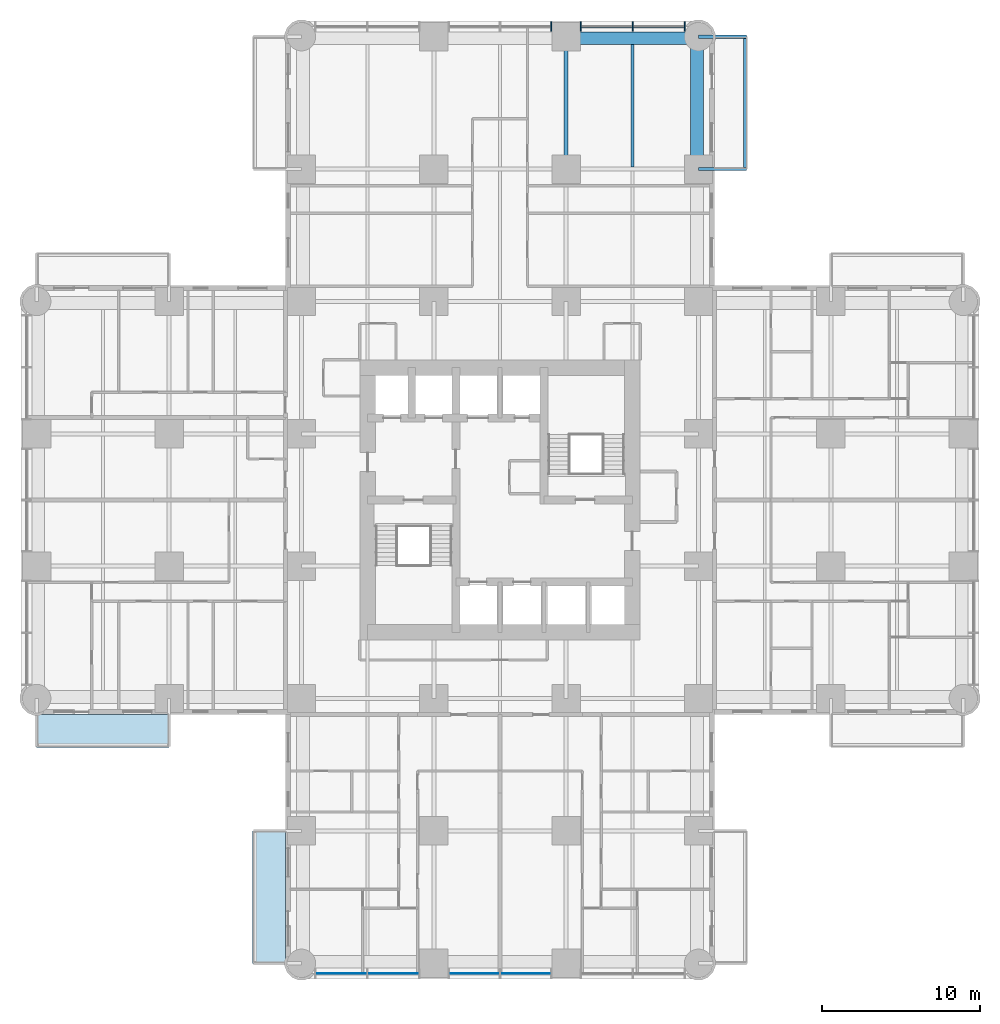
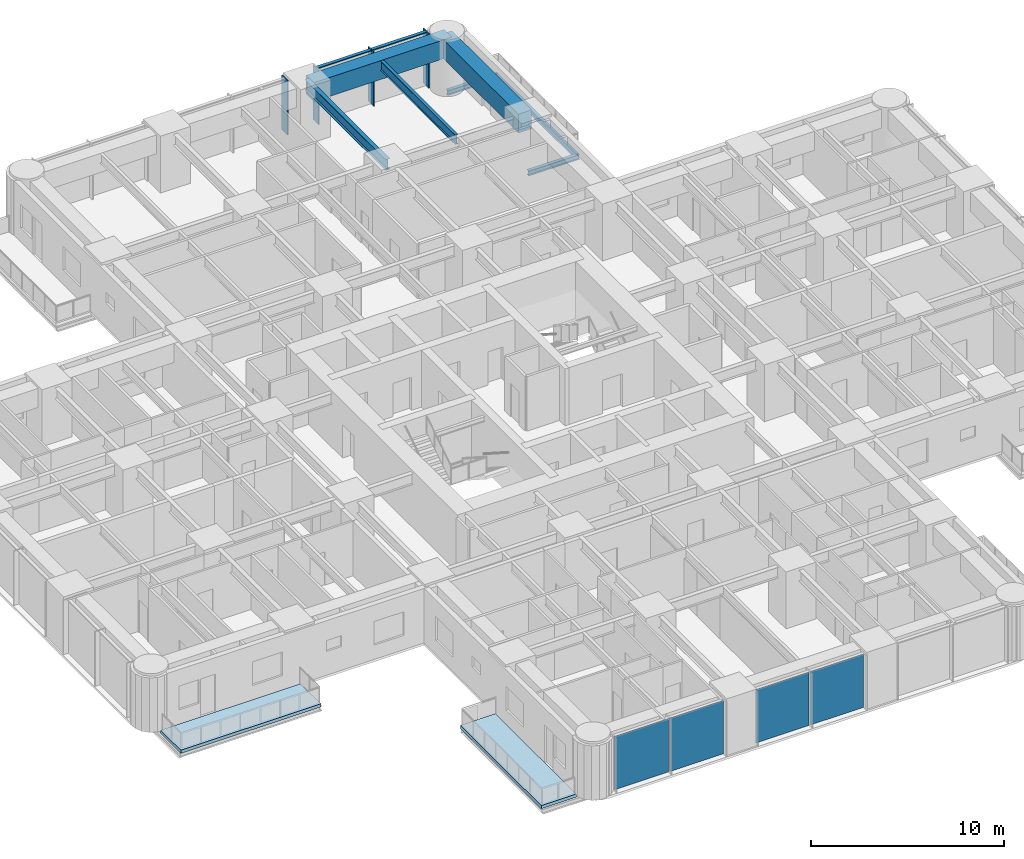
# One storey, part 5 of 17: 7 beams, 6 members, 4 plates, 2 slabs, 2 elements without a shape of their own.
"""IFC4 building model written with IfcOpenShell, lengths in metres."""

from ifc_helpers import new_model, si_unit, direction, frame, origin, origin_2d, place, context, subcontext, project, spatial, polyline, rectangle, i_section, outline, extrude, material, layer, layer_set, material_profile, profile_set, type_object, element, aggregate, save


model = new_model("IFC4")

# Units and contexts
model_context = context("Model", 3, precision=1e-05, world=origin(), true_north=direction((0.0, 1.0)))
body_context = subcontext(model_context, "Body", "Model", "MODEL_VIEW")
ifc_project = project(units=[si_unit("LENGTHUNIT", "METRE"), si_unit("AREAUNIT", "SQUARE_METRE"), si_unit("VOLUMEUNIT", "CUBIC_METRE"), si_unit("PLANEANGLEUNIT", "RADIAN"), si_unit("MASSUNIT", "GRAM", prefix="KILO")], contexts=[model_context])

# Site, building, storey
site_placement = place(None, origin())
site = spatial("IfcSite", under=ifc_project, at=site_placement, CompositionType="ELEMENT")
building_placement = place(site_placement, origin())
building = spatial("IfcBuilding", under=site, at=building_placement, Name="Torre Alcanfor", CompositionType="ELEMENT")
storey_placement = place(building_placement, frame((0.0, 0.0, 34.5)))
storey = spatial("IfcBuildingStorey", under=building, at=storey_placement, Name="L07", CompositionType="ELEMENT", Elevation=34.5)

# Beams
ifc_material_1 = material(Name="Steel ASTM A992 Grade 50", Category="steel")
ifc_material_profile_1 = material_profile(ifc_material_1, i_section(OverallWidth=0.205322265625, OverallDepth=0.309814453125, WebThickness=0.00927734375, FlangeThickness=0.016357421875, at=origin_2d()), Name="W12x50")
ifc_profile_set_1 = profile_set([ifc_material_profile_1], Name="Steel ASTM A992 Grade 50")
beam_type_1 = type_object("IfcBeamType", Name="Balcony cantilever beam W12x50", PredefinedType="BEAM", material=ifc_profile_set_1)
for number, where, z_axis, x_axis, name in (
    (1, (42.0, 50.39990234375, -0.35498046875), (1.0, 0.0, 0.0), (0.0, 1.0, 0.0), "Balcony cantilever beam L07-N2 1"),
    (2, (42.0, 58.800048828125, -0.35498046875), (1.0, 0.0, 0.0), (0.0, 1.0, 0.0), "Balcony cantilever beam L07-N2 2"),
):
    element("IfcBeam", number, at=place(storey_placement, frame(where, z_axis=z_axis, x_axis=x_axis)), inside=storey, type_object=beam_type_1, Name=name, PredefinedType="BEAM", context=body_context, shape_type="SweptSolid", body=[
        extrude(i_section(OverallWidth=0.205322265625, OverallDepth=0.309814453125, WebThickness=0.00927734375, FlangeThickness=0.016357421875, at=origin_2d()), origin(), (0.0, 0.0, 1.0), 3.050048828125),
    ])
ifc_material_2 = material(Name="Steel ASTM A992 Grade 50", Category="steel")
ifc_material_profile_2 = material_profile(ifc_material_2, i_section(OverallWidth=0.203369140625, OverallDepth=0.30224609375, WebThickness=0.007568359375, FlangeThickness=0.01318359375, at=origin_2d()), Name="W12x40")
ifc_profile_set_2 = profile_set([ifc_material_profile_2], Name="Steel ASTM A992 Grade 50")
beam_type_2 = type_object("IfcBeamType", Name="Balcony edge trimmer W12x40", PredefinedType="BEAM", material=ifc_profile_set_2)
beam_1_placement = place(storey_placement, frame((44.9482421875, 50.39990234375, -0.35107421875), z_axis=(0.0, 1.0, 0.0), x_axis=(-1.0, 0.0, 0.0)))
element("IfcBeam", 3, at=beam_1_placement, inside=storey, type_object=beam_type_2, Name="Balcony edge trimmer L07-N2", PredefinedType="BEAM", context=body_context, shape_type="SweptSolid", body=[
    extrude(i_section(OverallWidth=0.203369140625, OverallDepth=0.30224609375, WebThickness=0.007568359375, FlangeThickness=0.01318359375, at=origin_2d()), origin(), (0.0, 0.0, 1.0), 8.400146484375),
])

# Curtain wall, members
ifc_material_3 = material(Name="Aluminium and glass", Category="aluminium")
curtain_wall_type = type_object("IfcCurtainWallType", Name="CW-A unitised apartment glazing with vertical FIN", PredefinedType="NOTDEFINED", material=ifc_material_3)
curtain_wall_1_placement = place(storey_placement, origin())
curtain_wall_1 = element("IfcCurtainWall", 4, at=curtain_wall_1_placement, inside=storey, type_object=curtain_wall_type, Name="Curtain wall CW-A L07 11", PredefinedType="NOTDEFINED")
ifc_material_4 = material(Name="Bronze anodised aluminium", Category="aluminium")
ifc_material_profile_3 = material_profile(ifc_material_4, rectangle(XDim=0.60009765625, YDim=0.06494140625, at=origin_2d()), Name="CW-A mullion 65x600")
ifc_profile_set_3 = profile_set([ifc_material_profile_3], Name="Bronze anodised aluminium")
member_type_1 = type_object("IfcMemberType", Name="CW-A mullion with vertical FIN 65x600", PredefinedType="MULLION", material=ifc_profile_set_3)
member_1_placement = place(storey_placement, frame((41.133056640625, 59.449951171875, 0.0), z_axis=(0.0, 0.0, 1.0), x_axis=(0.0, -1.0, 0.0)))
member_1 = element("IfcMember", 5, at=member_1_placement, type_object=member_type_1, Name="CW-A mullion 1.1", PredefinedType="MULLION", context=body_context, shape_type="SweptSolid", body=[
    extrude(rectangle(XDim=0.60009765625, YDim=0.06494140625, at=origin_2d()), origin(), (0.0, 0.0, 1.0), 3.449951171875),
])
member_2_placement = place(storey_placement, frame((37.835205078125, 59.449951171875, 0.0), z_axis=(0.0, 0.0, 1.0), x_axis=(0.0, -1.0, 0.0)))
member_2 = element("IfcMember", 6, at=member_2_placement, type_object=member_type_1, Name="CW-A mullion 1.2", PredefinedType="MULLION", context=body_context, shape_type="SweptSolid", body=[
    extrude(rectangle(XDim=0.60009765625, YDim=0.06494140625, at=origin_2d()), origin(), (0.0, 0.0, 1.0), 3.449951171875),
])
member_3_placement = place(storey_placement, frame((34.53759765625, 59.449951171875, 0.0), z_axis=(0.0, 0.0, 1.0), x_axis=(0.0, -1.0, 0.0)))
member_3 = element("IfcMember", 7, at=member_3_placement, type_object=member_type_1, Name="CW-A mullion 1.3", PredefinedType="MULLION", context=body_context, shape_type="SweptSolid", body=[
    extrude(rectangle(XDim=0.60009765625, YDim=0.06494140625, at=origin_2d()), origin(), (0.0, 0.0, 1.0), 3.449951171875),
])
member_4_placement = place(storey_placement, frame((32.66259765625, 59.449951171875, 0.0), z_axis=(0.0, 0.0, 1.0), x_axis=(0.0, -1.0, 0.0)))
member_4 = element("IfcMember", 8, at=member_4_placement, type_object=member_type_1, Name="CW-A mullion 2.1", PredefinedType="MULLION", context=body_context, shape_type="SweptSolid", body=[
    extrude(rectangle(XDim=0.60009765625, YDim=0.06494140625, at=origin_2d()), origin(), (0.0, 0.0, 1.0), 3.449951171875),
])
ifc_material_5 = material(Name="Extruded aluminium", Category="aluminium")
ifc_material_profile_4 = material_profile(ifc_material_5, rectangle(XDim=0.199951171875, YDim=0.06494140625, at=origin_2d()), Name="CW-A transom 200x65")
ifc_profile_set_4 = profile_set([ifc_material_profile_4], Name="Extruded aluminium")
member_type_2 = type_object("IfcMemberType", Name="CW-A transom 65x200", PredefinedType="USERDEFINED", material=ifc_profile_set_4)
member_5_placement = place(storey_placement, frame((41.1005859375, 59.449951171875, 3.41748046875), z_axis=(-1.0, 0.0, 0.0), x_axis=(0.0, -1.0, 0.0)))
member_5 = element("IfcMember", 9, at=member_5_placement, type_object=member_type_2, Name="CW-A transom 1.1.2", ObjectType="TRANSOM", PredefinedType="USERDEFINED", context=body_context, shape_type="SweptSolid", body=[
    extrude(rectangle(XDim=0.199951171875, YDim=0.06494140625, at=origin_2d()), origin(), (0.0, 0.0, 1.0), 3.23291015625),
])
member_6_placement = place(storey_placement, frame((37.802734375, 59.449951171875, 3.41748046875), z_axis=(-1.0, 0.0, 0.0), x_axis=(0.0, -1.0, 0.0)))
member_6 = element("IfcMember", 10, at=member_6_placement, type_object=member_type_2, Name="CW-A transom 1.2.2", ObjectType="TRANSOM", PredefinedType="USERDEFINED", context=body_context, shape_type="SweptSolid", body=[
    extrude(rectangle(XDim=0.199951171875, YDim=0.06494140625, at=origin_2d()), origin(), (0.0, 0.0, 1.0), 3.232666015625),
])
aggregate(curtain_wall_1, [member_1, member_2, member_3, member_5, member_6, member_4])

# Beams
ifc_material_6 = material(Name="Steel ASTM A992 Grade 50", Category="steel")
ifc_material_profile_5 = material_profile(ifc_material_6, i_section(OverallWidth=0.25390625, OverallDepth=0.683349609375, WebThickness=0.012451171875, FlangeThickness=0.01904296875, at=origin_2d()), Name="W27x94")
ifc_profile_set_5 = profile_set([ifc_material_profile_5], Name="Steel ASTM A992 Grade 50")
beam_type_3 = type_object("IfcBeamType", Name="Girder W27x94", PredefinedType="BEAM", material=ifc_profile_set_5)
beam_2_placement = place(storey_placement, frame((33.60009765625, 50.39990234375, 3.1083984375), z_axis=(0.0, 1.0, 0.0), x_axis=(-1.0, 0.0, 0.0)))
element("IfcBeam", 11, at=beam_2_placement, inside=storey, type_object=beam_type_3, Name="Beam 5J-5K under L08", PredefinedType="BEAM", context=body_context, shape_type="SweptSolid", body=[
    extrude(i_section(OverallWidth=0.25390625, OverallDepth=0.683349609375, WebThickness=0.012451171875, FlangeThickness=0.01904296875, at=origin_2d()), origin(), (0.0, 0.0, 1.0), 8.400146484375),
])
ifc_material_7 = material(Name="Concrete f'c 70 MPa", Category="concrete")
ifc_material_profile_6 = material_profile(ifc_material_7, rectangle(XDim=0.800048828125, YDim=1.199951171875, at=origin_2d()), Name="800x1200")
ifc_profile_set_6 = profile_set([ifc_material_profile_6], Name="Concrete f'c 70 MPa")
beam_type_4 = type_object("IfcBeamType", Name="RC perimeter beam 800x1200", PredefinedType="BEAM", material=ifc_profile_set_6)
for number, where, z_axis, x_axis, name in (
    (12, (33.72705078125, 58.699951171875, 2.85009765625), (1.0, 0.0, 0.0), (0.0, 1.0, 0.0), "Beam 5K-6K under L08"),
    (13, (41.89990234375, 50.527099609375, 2.85009765625), (0.0, 1.0, 0.0), (-1.0, 0.0, 0.0), "Beam 6J-6K under L08"),
):
    element("IfcBeam", number, at=place(storey_placement, frame(where, z_axis=z_axis, x_axis=x_axis)), inside=storey, type_object=beam_type_4, Name=name, PredefinedType="BEAM", context=body_context, shape_type="SweptSolid", body=[
        extrude(rectangle(XDim=0.800048828125, YDim=1.199951171875, at=origin_2d()), origin(), (0.0, 0.0, 1.0), 8.27294921875),
    ])
ifc_material_8 = material(Name="Steel ASTM A992 Grade 50", Category="steel")
ifc_material_profile_7 = material_profile(ifc_material_8, i_section(OverallWidth=0.1787109375, OverallDepth=0.60205078125, WebThickness=0.010986328125, FlangeThickness=0.014892578125, at=origin_2d()), Name="W24x62")
ifc_profile_set_7 = profile_set([ifc_material_profile_7], Name="Steel ASTM A992 Grade 50")
beam_type_5 = type_object("IfcBeamType", Name="Secondary beam W24x62", PredefinedType="BEAM", material=ifc_profile_set_7)
beam_3_placement = place(storey_placement, frame((37.800048828125, 50.527099609375, 3.14892578125), z_axis=(0.0, 1.0, 0.0), x_axis=(-1.0, 0.0, 0.0)))
element("IfcBeam", 14, at=beam_3_placement, inside=storey, type_object=beam_type_5, Name="Beam 37_8J-37_8K under L08", PredefinedType="BEAM", context=body_context, shape_type="SweptSolid", body=[
    extrude(i_section(OverallWidth=0.1787109375, OverallDepth=0.60205078125, WebThickness=0.010986328125, FlangeThickness=0.014892578125, at=origin_2d()), origin(), (0.0, 0.0, 1.0), 7.77294921875),
])

# Slabs
ifc_material_9 = material(Name="Concrete f'c 35 MPa", Category="concrete")
ifc_layer_1 = layer(ifc_material_9, 0.199951171875)
ifc_layer_set_1 = layer_set([ifc_layer_1], Name="Balcony slab 200")
slab_type = type_object("IfcSlabType", Name="Balcony slab 200", PredefinedType="FLOOR", material=ifc_layer_set_1)
slab_1_placement = place(storey_placement, frame((0.0, 0.0, -0.199951171875)))
element("IfcSlab", 15, at=slab_1_placement, inside=storey, type_object=slab_type, Name="Balcony L07-S2", PredefinedType="FLOOR", context=body_context, shape_type="SweptSolid", body=[
    extrude(outline(polyline([(13.699951171875, 8.39990234375), (13.699951171875, 0.0), (15.800048828125, 0.0), (15.800048828125, 8.39990234375), (13.699951171875, 8.39990234375)])), origin(), (0.0, 0.0, 1.0), 0.199951171875),
])
slab_2_placement = place(storey_placement, frame((0.0, 0.0, -0.199951171875)))
element("IfcSlab", 16, at=slab_2_placement, inside=storey, type_object=slab_type, Name="Balcony L07-W1", PredefinedType="FLOOR", context=body_context, shape_type="SweptSolid", body=[
    extrude(outline(polyline([(8.39990234375, 15.800048828125), (0.0, 15.800048828125), (0.0, 13.699951171875), (8.39990234375, 13.699951171875), (8.39990234375, 15.800048828125)])), origin(), (0.0, 0.0, 1.0), 0.199951171875),
])

# Curtain wall, plates
curtain_wall_2_placement = place(storey_placement, origin())
curtain_wall_2 = element("IfcCurtainWall", 17, at=curtain_wall_2_placement, inside=storey, type_object=curtain_wall_type, Name="Curtain wall CW-A L07 5", PredefinedType="NOTDEFINED")
ifc_material_10 = material(Name="Glass", Category="glass")
ifc_layer_2 = layer(ifc_material_10, 0.028076171875)
ifc_layer_set_2 = layer_set([ifc_layer_2], Name="CW-A clear double glazed unit")
plate_type = type_object("IfcPlateType", Name="CW-A clear double glazed unit", PredefinedType="CURTAIN_PANEL", material=ifc_layer_set_2)
plate_1_placement = place(storey_placement, frame((19.31591796875, -0.64990234375, 0.0), z_axis=(0.0, 0.0, 1.0), x_axis=(1.0, 0.0, 0.0)))
plate_1 = element("IfcPlate", 18, at=plate_1_placement, type_object=plate_type, Name="CW-A panel 1.1.1", PredefinedType="CURTAIN_PANEL", context=body_context, shape_type="SweptSolid", body=[
    extrude(rectangle(XDim=3.232666015625, YDim=0.028076171875, at=origin_2d()), origin(), (0.0, 0.0, 1.0), 3.385009765625),
])
plate_2_placement = place(storey_placement, frame((22.613525390625, -0.64990234375, 0.0), z_axis=(0.0, 0.0, 1.0), x_axis=(1.0, 0.0, 0.0)))
plate_2 = element("IfcPlate", 19, at=plate_2_placement, type_object=plate_type, Name="CW-A panel 1.2.1", PredefinedType="CURTAIN_PANEL", context=body_context, shape_type="SweptSolid", body=[
    extrude(rectangle(XDim=3.232666015625, YDim=0.028076171875, at=origin_2d()), origin(), (0.0, 0.0, 1.0), 3.385009765625),
])
plate_3_placement = place(storey_placement, frame((27.768798828125, -0.64990234375, 0.0), z_axis=(0.0, 0.0, 1.0), x_axis=(1.0, 0.0, 0.0)))
plate_3 = element("IfcPlate", 20, at=plate_3_placement, type_object=plate_type, Name="CW-A panel 2.1.1", PredefinedType="CURTAIN_PANEL", context=body_context, shape_type="SweptSolid", body=[
    extrude(rectangle(XDim=3.197509765625, YDim=0.028076171875, at=origin_2d()), origin(), (0.0, 0.0, 1.0), 3.385009765625),
])
plate_4_placement = place(storey_placement, frame((31.03125, -0.64990234375, 0.0), z_axis=(0.0, 0.0, 1.0), x_axis=(1.0, 0.0, 0.0)))
plate_4 = element("IfcPlate", 21, at=plate_4_placement, type_object=plate_type, Name="CW-A panel 2.2.1", PredefinedType="CURTAIN_PANEL", context=body_context, shape_type="SweptSolid", body=[
    extrude(rectangle(XDim=3.197509765625, YDim=0.028076171875, at=origin_2d()), origin(), (0.0, 0.0, 1.0), 3.385009765625),
])
aggregate(curtain_wall_2, [plate_1, plate_2, plate_3, plate_4])

save(model, "model.ifc")
